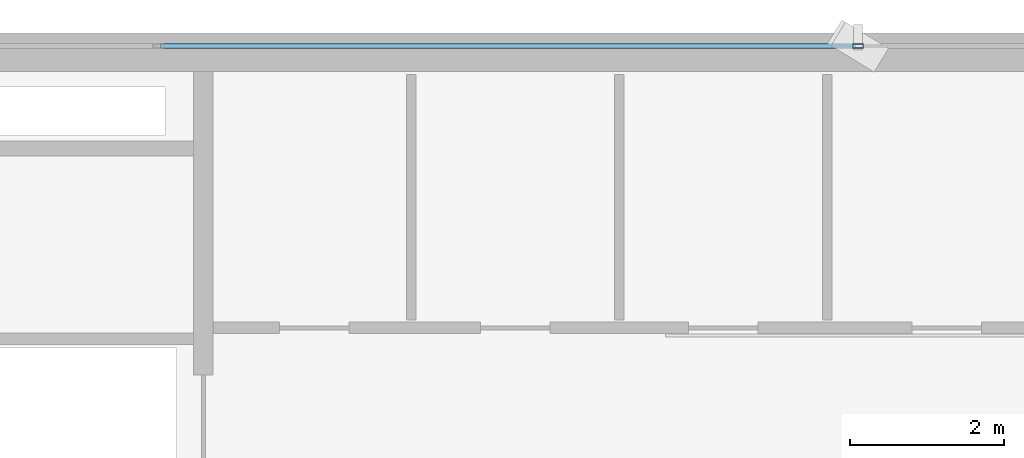
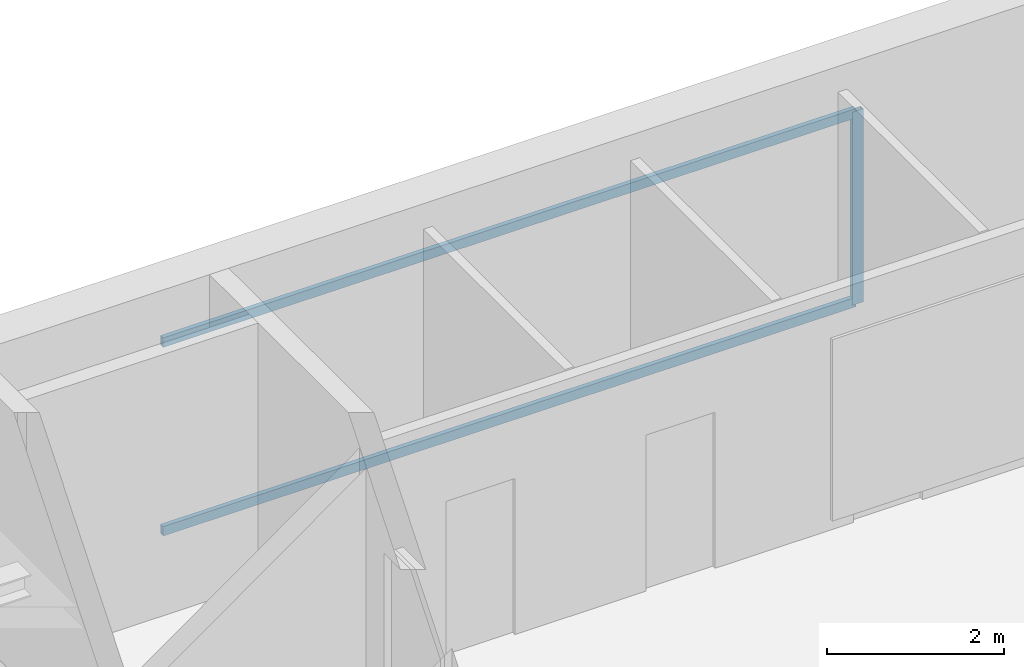
# One storey, part 22 of 32: 3 members, 1 element without a shape of its own.
"""IFC4 building model written with IfcOpenShell, lengths in metres."""

import ifcopenshell
import ifcopenshell.guid

model = None  # the IFC model being written
_history = None  # IfcOwnerHistory: only IFC2X3 demands one
_inside = {}  # id of a spatial element -> (the spatial element, [elements in it])
_under = {}  # id of a project, library or spatial element -> (it, [spatial elements below it])
_declared = {}  # id of a project -> (the project, [libraries it declares])
_typed = {}  # id of a type object -> (the type object, [elements of that type])
_made_of = {}  # id of a material, layer set ... -> (it, [elements and type objects made of it])


def new_model(schema):
    """Start an empty IFC model of exactly this schema.

    Asked for "IFC4X3", IfcOpenShell would pick the latest addendum, in which some entities
    have other attributes; the version numbers below select the first issue.
    IFC2X3 requires an IfcOwnerHistory on every rooted entity: one is made here for all.
    """
    global model, _history
    if schema == "IFC4X3":
        model = ifcopenshell.file(schema_version=(4, 3, 0, 0))
    else:
        model = ifcopenshell.file(schema=schema)
    _inside.clear()
    _under.clear()
    _declared.clear()
    _typed.clear()
    _made_of.clear()
    _history = None
    if model.schema == "IFC2X3":
        org = make("IfcOrganization", Name="unknown")
        user = make(
            "IfcPersonAndOrganization",
            ThePerson=make("IfcPerson", FamilyName="unknown"),
            TheOrganization=org,
        )
        app = make(
            "IfcApplication",
            ApplicationDeveloper=org,
            Version="unknown",
            ApplicationFullName="unknown",
            ApplicationIdentifier="unknown",
        )
        _history = make(
            "IfcOwnerHistory",
            OwningUser=user,
            OwningApplication=app,
            ChangeAction="ADDED",
            CreationDate=0,
        )
    return model


def make(cls, **values):
    """One entity of the class cls with the attributes given. An attribute that is None is left unset."""
    return model.create_entity(
        cls, **{name: value for name, value in values.items() if value is not None}
    )


def rooted(cls, **values):
    """An entity with a GlobalId (a new one), such as an element, a storey or a relation."""
    return make(cls, GlobalId=ifcopenshell.guid.new(), OwnerHistory=_history, **values)


def si_unit(unit_type, name, prefix=None):
    """IfcSIUnit, for example si_unit("LENGTHUNIT", "METRE", prefix="MILLI")."""
    return make("IfcSIUnit", UnitType=unit_type, Prefix=prefix, Name=name)


def assignment(units):
    """IfcUnitAssignment: the units of a project."""
    return None if units is None else make("IfcUnitAssignment", Units=units)


def point(xyz):
    """IfcCartesianPoint."""
    return None if xyz is None else make("IfcCartesianPoint", Coordinates=xyz)


def direction(xyz):
    """IfcDirection."""
    return None if xyz is None else make("IfcDirection", DirectionRatios=xyz)


def frame(location, z_axis=None, x_axis=None):
    """IfcAxis2Placement3D, a coordinate frame: its origin and axes. An axis left out is left unset."""
    return make(
        "IfcAxis2Placement3D",
        Location=point(location),
        Axis=direction(z_axis),
        RefDirection=direction(x_axis),
    )


def frame_2d(location, x_axis=None):
    """IfcAxis2Placement2D, a coordinate frame in the plane: its origin and x axis."""
    return make(
        "IfcAxis2Placement2D", Location=point(location), RefDirection=direction(x_axis)
    )


def origin():
    """The frame at (0, 0, 0) with its axes left unset."""
    return frame((0.0, 0.0, 0.0))


def origin_2d():
    """The frame at (0, 0) in the plane with its x axis left unset."""
    return frame_2d((0.0, 0.0))


def place(relative_to, where):
    """IfcLocalPlacement: puts the frame where relative to a parent placement (None: the world)."""
    return make(
        "IfcLocalPlacement", PlacementRelTo=relative_to, RelativePlacement=where
    )


def context(
    kind, dimensions, precision=None, world=None, true_north=None, identifier=None
):
    """IfcGeometricRepresentationContext, for example the 3D "Model" context."""
    return make(
        "IfcGeometricRepresentationContext",
        ContextIdentifier=identifier,
        ContextType=kind,
        CoordinateSpaceDimension=dimensions,
        Precision=precision,
        WorldCoordinateSystem=world,
        TrueNorth=true_north,
    )


def subcontext(parent, identifier, kind, view, scale=None):
    """IfcGeometricRepresentationSubContext, for example "Body" below "Model"."""
    return make(
        "IfcGeometricRepresentationSubContext",
        ContextIdentifier=identifier,
        ContextType=kind,
        ParentContext=parent,
        TargetScale=scale,
        TargetView=view,
    )


def project(units=None, contexts=None):
    """IfcProject with its units and contexts."""
    return rooted(
        "IfcProject",
        Name="project",
        RepresentationContexts=contexts,
        UnitsInContext=assignment(units),
    )


def spatial(cls, under=None, at=None, **own):
    """A site, building, storey or space (cls), placed at a placement, below another one or the project."""
    s = rooted(cls, ObjectPlacement=at, **own)
    if under is not None:
        _under.setdefault(under.id(), (under, []))[1].append(s)
    return s


def profile(cls, at=None, kind="AREA", **sizes):
    """A parametric profile (cls). Its sizes go by their IFC names, for example OverallWidth=200.0."""
    return make(cls, ProfileType=kind, Position=at, **sizes)


def hollow_rectangle(**sizes):
    """IfcRectangleHollowProfileDef."""
    return profile("IfcRectangleHollowProfileDef", **sizes)


def extrude(swept, where, along, depth):
    """IfcExtrudedAreaSolid: the profile swept, set in the frame where, extruded along a direction by depth."""
    return make(
        "IfcExtrudedAreaSolid",
        SweptArea=swept,
        Position=where,
        ExtrudedDirection=direction(along),
        Depth=depth,
    )


def shape(context_of_items, identifier, shape_type, items):
    """IfcShapeRepresentation: the items that make up one representation, for example the "Body"."""
    return make(
        "IfcShapeRepresentation",
        ContextOfItems=context_of_items,
        RepresentationIdentifier=identifier,
        RepresentationType=shape_type,
        Items=items,
    )


def source(mapping_origin, context_of_items, identifier, shape_type, items):
    """IfcRepresentationMap: a shape defined once, which mapped items show again and again."""
    return make(
        "IfcRepresentationMap",
        MappingOrigin=mapping_origin,
        MappedRepresentation=shape(context_of_items, identifier, shape_type, items),
    )


def transform(
    local_origin,
    x_axis=None,
    y_axis=None,
    z_axis=None,
    scale=None,
    scale2=None,
    scale3=None,
    uniform=True,
):
    """IfcCartesianTransformationOperator3D, or its non-uniform kind. x_axis, y_axis, z_axis: its Axis1, 2, 3."""
    if uniform:
        return make(
            "IfcCartesianTransformationOperator3D",
            Axis1=direction(x_axis),
            Axis2=direction(y_axis),
            LocalOrigin=point(local_origin),
            Scale=scale,
            Axis3=direction(z_axis),
        )
    return make(
        "IfcCartesianTransformationOperator3DnonUniform",
        Axis1=direction(x_axis),
        Axis2=direction(y_axis),
        LocalOrigin=point(local_origin),
        Scale=scale,
        Axis3=direction(z_axis),
        Scale2=scale2,
        Scale3=scale3,
    )


def mapped(mapping_source, mapping_target):
    """IfcMappedItem: shows the shape of a source again, moved by a transform."""
    return make(
        "IfcMappedItem", MappingSource=mapping_source, MappingTarget=mapping_target
    )


def material(Name=None, Category=None):
    """IfcMaterial."""
    return make("IfcMaterial", Name=Name, Category=Category)


def layer(
    of_material, thickness, ventilated=None, Name=None, Category=None, Priority=None
):
    """IfcMaterialLayer: one layer of a wall or slab, of a material (None: an air gap)."""
    return make(
        "IfcMaterialLayer",
        Material=of_material,
        LayerThickness=thickness,
        IsVentilated=ventilated,
        Name=Name,
        Category=Category,
        Priority=Priority,
    )


def layer_set(layers, Name=None):
    """IfcMaterialLayerSet."""
    return make("IfcMaterialLayerSet", MaterialLayers=layers, LayerSetName=Name)


def material_profile(
    of_material, cross_section, Name=None, Category=None, Priority=None
):
    """IfcMaterialProfile: a cross section and its material."""
    return make(
        "IfcMaterialProfile",
        Name=Name,
        Material=of_material,
        Profile=cross_section,
        Priority=Priority,
        Category=Category,
    )


def profile_set(profiles, Name=None, composite=None):
    """IfcMaterialProfileSet."""
    return make(
        "IfcMaterialProfileSet",
        Name=Name,
        MaterialProfiles=profiles,
        CompositeProfile=composite,
    )


def made_of(thing, what):
    """Note that an element or type object is made of a material, layer set ...; save() writes the relation."""
    if what is not None:
        _made_of.setdefault(what.id(), (what, []))[1].append(thing)
    return thing


def type_object(cls, material=None, **own):
    """A type object (cls), such as IfcWallType, which elements share."""
    return made_of(rooted(cls, **own), material)


def element(
    cls,
    number,
    at=None,
    inside=None,
    cuts=None,
    type_object=None,
    material=None,
    context=None,
    identifier="Body",
    shape_type=None,
    held_by="IfcProductDefinitionShape",
    body=None,
    shapes=None,
    **own,
):
    """One element of the class cls, such as IfcWall. Its Tag is "e" and its number.

    at: its placement. inside: the storey or other place that contains it. cuts: it is an
    opening in that element (IfcRelVoidsElement). A single representation is given by context,
    identifier, shape_type and body (its items); several are given by shapes. held_by: the class
    of the entity that holds the representations. save() writes the other relations.
    """
    e = rooted(cls, Tag="e%d" % number, ObjectPlacement=at, **own)
    if body is not None:
        shapes = [shape(context, identifier, shape_type, body)]
    if shapes is not None:
        e.Representation = make(held_by, Representations=shapes)
    if inside is not None:
        _inside.setdefault(inside.id(), (inside, []))[1].append(e)
    if cuts is not None:
        rooted(
            "IfcRelVoidsElement", RelatingBuildingElement=cuts, RelatedOpeningElement=e
        )
    if type_object is not None:
        _typed.setdefault(type_object.id(), (type_object, []))[1].append(e)
    return made_of(e, material)


def aggregate(whole, parts):
    """IfcRelAggregates: a whole, such as a stair, and the parts it consists of."""
    return rooted("IfcRelAggregates", RelatingObject=whole, RelatedObjects=parts)


def save(model, path):
    """Write the relations noted so far, then the file.

    IfcRelAggregates (storeys below a building ...), IfcRelContainedInSpatialStructure (elements
    in a storey), IfcRelDefinesByType, IfcRelAssociatesMaterial and IfcRelDeclares: one each for
    every whole, place, type object, material and project.
    """
    for whole, parts in _under.values():
        aggregate(whole, parts)
    for where, things in _inside.values():
        rooted(
            "IfcRelContainedInSpatialStructure",
            RelatedElements=things,
            RelatingStructure=where,
        )
    for kind, things in _typed.values():
        rooted("IfcRelDefinesByType", RelatedObjects=things, RelatingType=kind)
    for what, things in _made_of.values():
        rooted("IfcRelAssociatesMaterial", RelatedObjects=things, RelatingMaterial=what)
    for by, libraries in _declared.values():
        rooted("IfcRelDeclares", RelatingContext=by, RelatedDefinitions=libraries)
    model.write(path)


model = new_model("IFC4")

# Units and contexts
model_context = context("Model", 3, precision=1e-05, world=origin(), true_north=direction((0.0, 1.0)))
body_context = subcontext(model_context, "Body", "Model", "MODEL_VIEW")
ifc_project = project(units=[si_unit("LENGTHUNIT", "METRE"), si_unit("AREAUNIT", "SQUARE_METRE"), si_unit("VOLUMEUNIT", "CUBIC_METRE"), si_unit("PLANEANGLEUNIT", "RADIAN"), si_unit("MASSUNIT", "GRAM", prefix="KILO")], contexts=[model_context])

# Site, building, storey
site_placement = place(None, origin())
site = spatial("IfcSite", under=ifc_project, at=site_placement, CompositionType="ELEMENT")
building_placement = place(site_placement, origin())
building = spatial("IfcBuilding", under=site, at=building_placement, Name="Sumidabori Civic Tower", CompositionType="ELEMENT")
storey_placement = place(building_placement, frame((0.0, 0.0, 225.199951171875)))
storey = spatial("IfcBuildingStorey", under=building, at=storey_placement, Name="L58", CompositionType="ELEMENT", Elevation=225.199951171875)

# Curtain wall, members
ifc_material = material(Name="Anodised Bronze Aluminium AW-6063-T6", Category="aluminium")
ifc_layer = layer(ifc_material, 0.179931640625, Name="Anodised Bronze Aluminium AW-6063-T6")
ifc_layer_set = layer_set([ifc_layer], Name="Anodised Bronze Aluminium AW-6063-T6")
curtain_wall_type = type_object("IfcCurtainWallType", Name="CW-SYS-5", PredefinedType="NOTDEFINED", material=ifc_layer_set)
curtain_wall_placement = place(storey_placement, origin())
curtain_wall = element("IfcCurtainWall", 1, at=curtain_wall_placement, inside=storey, type_object=curtain_wall_type, Name="Curtain Wall CW:L58:R14", PredefinedType="NOTDEFINED")
ifc_material_profile_1 = material_profile(ifc_material, hollow_rectangle(XDim=0.06005859375, YDim=0.1298828125, WallThickness=0.0048828125, at=origin_2d()), Name="ALU TRANSOM 130x60")
ifc_profile_set_1 = profile_set([ifc_material_profile_1], Name="Anodised Bronze Aluminium AW-6063-T6")
member_type_1 = type_object("IfcMemberType", Name="CW-TRN-130", PredefinedType="USERDEFINED", material=ifc_profile_set_1)
shared_shape_1 = source(origin(), body_context, "Body", "SweptSolid", [
    extrude(hollow_rectangle(XDim=0.06005859375, YDim=0.1298828125, WallThickness=0.0048828125, at=origin_2d()), origin(), (0.0, 0.0, 1.0), 9.02490234375),
])
member_1_placement = place(storey_placement, frame((-0.030029296875, 23.8798828125, 0.030029296875), z_axis=(-1.0, 0.0, 0.0), x_axis=(0.0, -1.0, 0.0)))
member_1 = element("IfcMember", 2, at=member_1_placement, type_object=member_type_1, Name="CW-5 transom 3.1", ObjectType="TRANSOM", PredefinedType="USERDEFINED", context=body_context, shape_type="MappedRepresentation", body=[
    mapped(shared_shape_1, transform((0.0, 0.0, 0.0), x_axis=(1.0, 0.0, 0.0), y_axis=(0.0, 1.0, 0.0), z_axis=(0.0, 0.0, 1.0), scale=1.0)),
])
member_2_placement = place(storey_placement, frame((-0.030029296875, 23.8798828125, 2.630126953125), z_axis=(-1.0, 0.0, 0.0), x_axis=(0.0, -1.0, 0.0)))
member_2 = element("IfcMember", 3, at=member_2_placement, type_object=member_type_1, Name="CW-5 transom 3.2", ObjectType="TRANSOM", PredefinedType="USERDEFINED", context=body_context, shape_type="MappedRepresentation", body=[
    mapped(shared_shape_1, transform((0.0, 0.0, 0.0), x_axis=(1.0, 0.0, 0.0), y_axis=(0.0, 1.0, 0.0), z_axis=(0.0, 0.0, 1.0), scale=1.0)),
])
ifc_material_profile_2 = material_profile(ifc_material, hollow_rectangle(XDim=0.06005859375, YDim=0.139892578125, WallThickness=0.0048828125, at=origin_2d()), Name="ALU MULLION 140x60")
ifc_profile_set_2 = profile_set([ifc_material_profile_2], Name="Anodised Bronze Aluminium AW-6063-T6")
member_type_2 = type_object("IfcMemberType", Name="CW-MUL-140", PredefinedType="MULLION", material=ifc_profile_set_2)
shared_shape_2 = source(origin(), body_context, "Body", "SweptSolid", [
    extrude(hollow_rectangle(XDim=0.06005859375, YDim=0.139892578125, WallThickness=0.0048828125, at=origin_2d()), origin(), (0.0, 0.0, 1.0), 2.66015625),
])
member_3_placement = place(storey_placement, frame((0.0, 23.8798828125, 0.0), z_axis=(0.0, 0.0, 1.0), x_axis=(0.0, -1.0, 0.0)))
member_3 = element("IfcMember", 4, at=member_3_placement, type_object=member_type_2, Name="CW-5 mullion 3", PredefinedType="MULLION", context=body_context, shape_type="MappedRepresentation", body=[
    mapped(shared_shape_2, transform((0.0, 0.0, 0.0), x_axis=(1.0, 0.0, 0.0), y_axis=(0.0, 1.0, 0.0), z_axis=(0.0, 0.0, 1.0), scale=1.0)),
])
aggregate(curtain_wall, [member_3, member_1, member_2])

save(model, "model.ifc")
